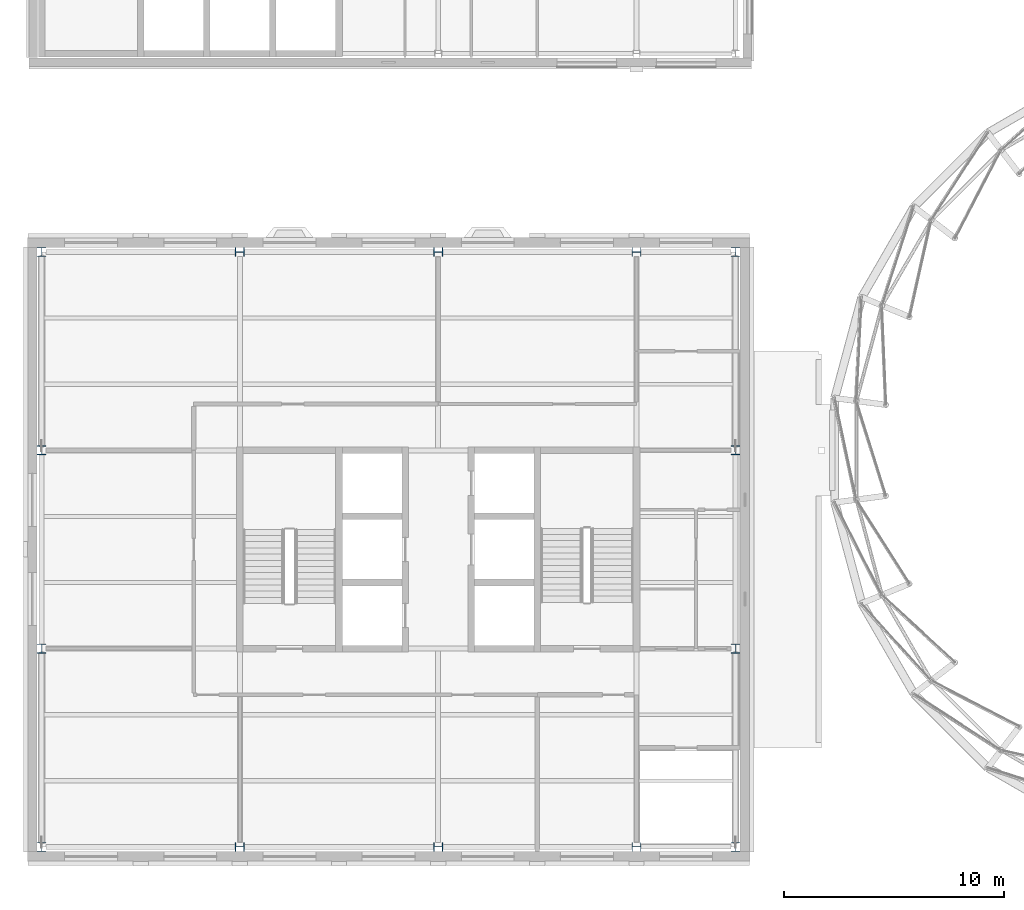
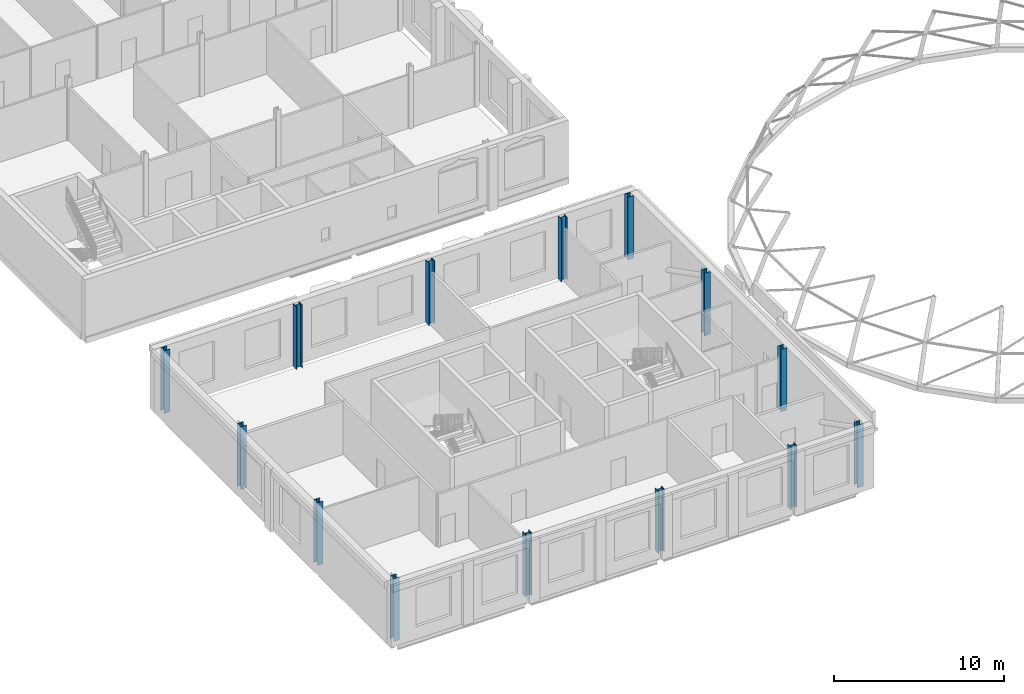
# One storey, part 1 of 59: 14 columns.
"""IFC4 building model written with IfcOpenShell, lengths in metres."""

from ifc_helpers import new_model, si_unit, direction, frame, origin, origin_2d, place, context, subcontext, project, spatial, i_section, extrude, material, material_profile, profile_set, type_object, element, save


model = new_model("IFC4")

# Units and contexts
model_context = context("Model", 3, precision=1e-05, world=origin(), true_north=direction((0.0, 1.0)))
body_context = subcontext(model_context, "Body", "Model", "MODEL_VIEW")
ifc_project = project(units=[si_unit("LENGTHUNIT", "METRE"), si_unit("AREAUNIT", "SQUARE_METRE"), si_unit("VOLUMEUNIT", "CUBIC_METRE"), si_unit("PLANEANGLEUNIT", "RADIAN"), si_unit("MASSUNIT", "GRAM", prefix="KILO")], contexts=[model_context])

# Site, building, storey
site_placement = place(None, origin())
site = spatial("IfcSite", under=ifc_project, at=site_placement, CompositionType="ELEMENT")
building_placement = place(site_placement, origin())
building = spatial("IfcBuilding", under=site, at=building_placement, Name="Hortulan Conservatory and Botanical Research Centre", CompositionType="ELEMENT")
storey_placement = place(building_placement, frame((0.0, 0.0, 10.5)))
storey = spatial("IfcBuildingStorey", under=building, at=storey_placement, Name="L02", CompositionType="ELEMENT", Elevation=10.5)

# Columns
ifc_material = material(Name="Steel Grade 300 (AS/NZS 3679.2, plate AS/NZS 3678, 280 MPa minimum yield)", Category="steel")
ifc_material_profile = material_profile(ifc_material, i_section(OverallWidth=0.39990234375, OverallDepth=0.422119140625, WebThickness=0.028076171875, FlangeThickness=0.035888671875, at=origin_2d()), Name="400WC303")
ifc_profile_set = profile_set([ifc_material_profile], Name="Steel Grade 300 (AS/NZS 3679.2, plate AS/NZS 3678, 280 MPa minimum yield)")
column_type = type_object("IfcColumnType", Name="Tower Column 400WC303", PredefinedType="COLUMN", material=ifc_profile_set)
for number, where, z_axis, x_axis, name in (
    (1, (0.0, 0.0, 0.0), (0.0, 0.0, 1.0), (1.0, 0.0, 0.0), "400WC303 column"),
    (2, (0.0, 9.0, 0.0), (0.0, 0.0, 1.0), (1.0, 0.0, 0.0), "400WC303 column"),
    (3, (0.0, 18.0, 0.0), (0.0, 0.0, 1.0), (1.0, 0.0, 0.0), "400WC303 column"),
    (4, (0.0, 27.0, 0.0), (0.0, 0.0, 1.0), (1.0, 0.0, 0.0), "400WC303 column"),
    (5, (9.0, 0.0, 0.0), (0.0, 0.0, 1.0), (0.0, 1.0, 0.0), "400WC303 column"),
    (6, (9.0, 27.0, 0.0), (0.0, 0.0, 1.0), (0.0, 1.0, 0.0), "400WC303 column"),
    (7, (18.0, 0.0, 0.0), (0.0, 0.0, 1.0), (0.0, 1.0, 0.0), "400WC303 column"),
    (8, (18.0, 27.0, 0.0), (0.0, 0.0, 1.0), (0.0, 1.0, 0.0), "400WC303 column"),
    (9, (27.0, 0.0, 0.0), (0.0, 0.0, 1.0), (0.0, 1.0, 0.0), "400WC303 column"),
    (10, (27.0, 27.0, 0.0), (0.0, 0.0, 1.0), (0.0, 1.0, 0.0), "400WC303 column"),
    (11, (31.5, 0.0, 0.0), (0.0, 0.0, 1.0), (1.0, 0.0, 0.0), "400WC303 column"),
    (12, (31.5, 9.0, 0.0), (0.0, 0.0, 1.0), (1.0, 0.0, 0.0), "400WC303 column"),
    (13, (31.5, 18.0, 0.0), (0.0, 0.0, 1.0), (1.0, 0.0, 0.0), "400WC303 column"),
    (14, (31.5, 27.0, 0.0), (0.0, 0.0, 1.0), (1.0, 0.0, 0.0), "400WC303 column"),
):
    element("IfcColumn", number, at=place(storey_placement, frame(where, z_axis=z_axis, x_axis=x_axis)), inside=storey, type_object=column_type, Name=name, PredefinedType="COLUMN", context=body_context, shape_type="SweptSolid", body=[
        extrude(i_section(OverallWidth=0.39990234375, OverallDepth=0.422119140625, WebThickness=0.028076171875, FlangeThickness=0.035888671875, at=origin_2d()), origin(), (0.0, 0.0, 1.0), 4.5),
    ])

save(model, "model.ifc")
